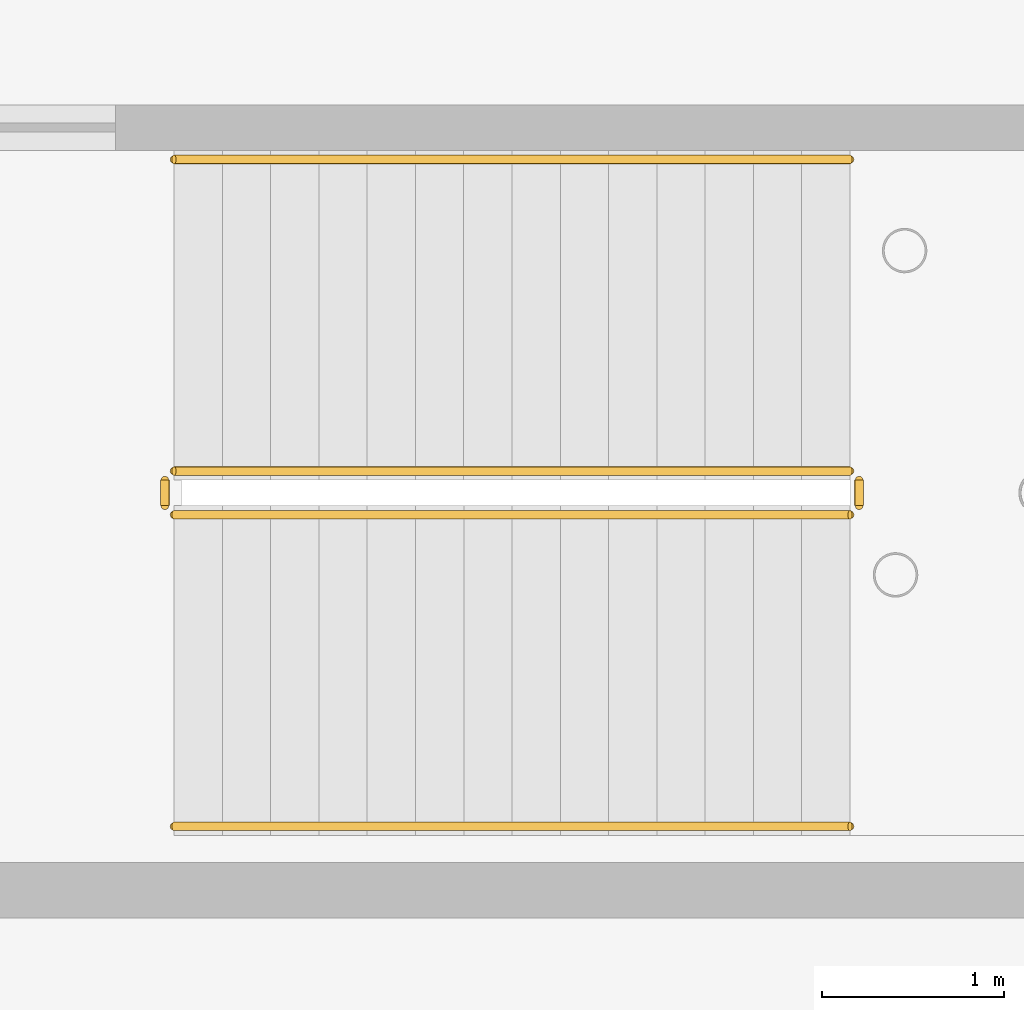
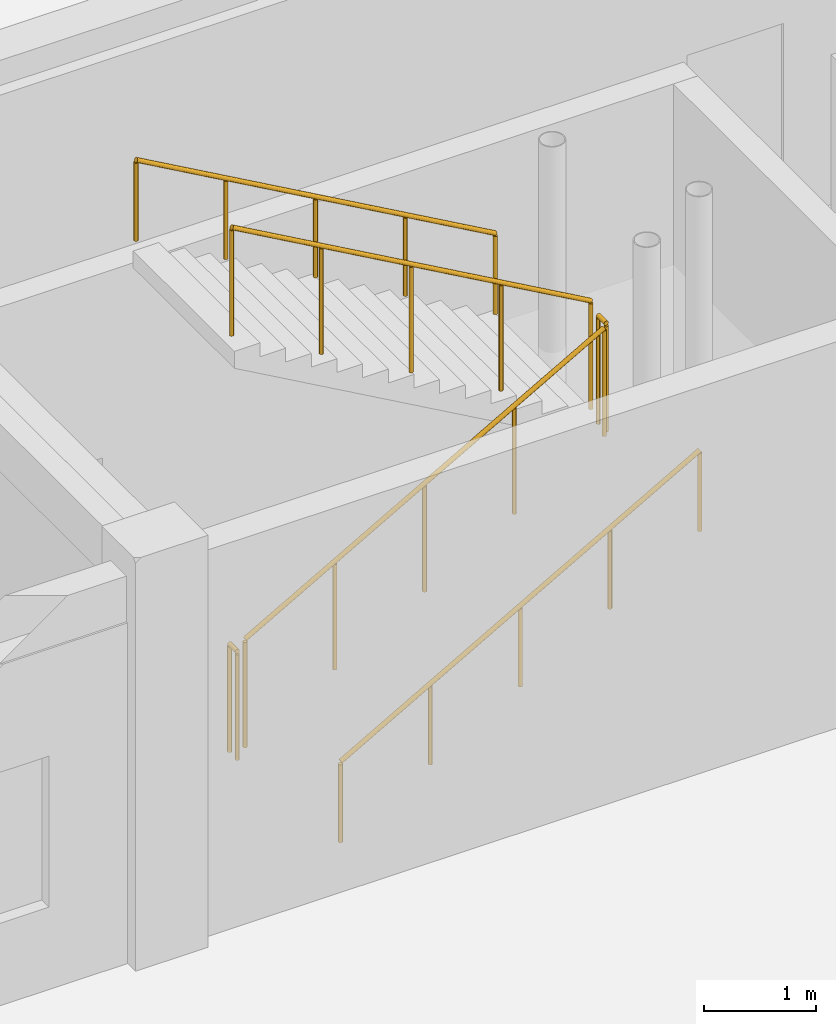
# One storey, part 149 of 160: 6 railings.
"""IFC4 building model written with IfcOpenShell, lengths in metres."""

from ifc_helpers import new_model, si_unit, direction, frame, origin, origin_2d, place, context, subcontext, project, spatial, circle, extrude, material, type_object, element, save


model = new_model("IFC4")

# Units and contexts
model_context = context("Model", 3, precision=1e-05, world=origin(), true_north=direction((0.0, 1.0)))
body_context = subcontext(model_context, "Body", "Model", "MODEL_VIEW")
ifc_project = project(units=[si_unit("LENGTHUNIT", "METRE"), si_unit("AREAUNIT", "SQUARE_METRE"), si_unit("VOLUMEUNIT", "CUBIC_METRE"), si_unit("PLANEANGLEUNIT", "RADIAN"), si_unit("MASSUNIT", "GRAM", prefix="KILO")], contexts=[model_context])

# Site, building, storey
site_placement = place(None, origin())
site = spatial("IfcSite", under=ifc_project, at=site_placement, CompositionType="ELEMENT")
building_placement = place(site_placement, origin())
building = spatial("IfcBuilding", under=site, at=building_placement, Name="Kharva Crest Polytechnic", CompositionType="ELEMENT")
storey_placement = place(building_placement, frame((0.0, 0.0, 4.5)))
storey = spatial("IfcBuildingStorey", under=building, at=storey_placement, Name="L01", CompositionType="ELEMENT", Elevation=4.5)

# Railings
ifc_material_1 = material(Name="Anodised aluminium", Category="aluminium")
railing_type_1 = type_object("IfcRailingType", Name="RL-STAIR-GUARD-1200", PredefinedType="GUARDRAIL", material=ifc_material_1)
railing_1_placement = place(storey_placement, frame((90.1201171875, 9.659912109375, 0.14990234375)))
element("IfcRailing", 1, at=railing_1_placement, inside=storey, type_object=railing_type_1, Name="L01 ST-08 stair guard 1", PredefinedType="GUARDRAIL", context=body_context, shape_type="SweptSolid", body=[
    extrude(circle(Radius=0.02392578125, at=origin_2d()), frame((0.0, 0.0, 1.17578125), z_axis=(0.870244811389, 0.0, 0.492619496418), x_axis=(0.0, 1.0, 0.0)), (0.0, 0.0, 1.0), 4.26318359375),
    extrude(circle(Radius=0.02099609375, at=origin_2d()), origin(), (0.0, 0.0, 1.0), 1.15185546875),
    extrude(circle(Radius=0.02099609375, at=origin_2d()), frame((0.927490234375, 0.0, 0.52490234375)), (0.0, 0.0, 1.0), 1.15185546875),
    extrude(circle(Radius=0.02099609375, at=origin_2d()), frame((1.85498046875, 0.0, 1.050048828125)), (0.0, 0.0, 1.0), 1.15185546875),
    extrude(circle(Radius=0.02099609375, at=origin_2d()), frame((2.782470703125, 0.0, 1.5751953125)), (0.0, 0.0, 1.0), 1.15185546875),
    extrude(circle(Radius=0.02099609375, at=origin_2d()), frame((3.7099609375, 0.0, 2.10009765625)), (0.0, 0.0, 1.0), 1.15185546875),
])
railing_2_placement = place(storey_placement, frame((93.8798828125, 9.7099609375, 2.25)))
element("IfcRailing", 2, at=railing_2_placement, inside=storey, type_object=railing_type_1, Name="L01 ST-08 stair guard 2", PredefinedType="GUARDRAIL", context=body_context, shape_type="SweptSolid", body=[
    extrude(circle(Radius=0.02392578125, at=origin_2d()), frame((0.0, 0.0, 1.17578125), z_axis=(0.0, 1.0, 0.0), x_axis=(-1.0, 0.0, 0.0)), (0.0, 0.0, 1.0), 0.14013671875),
    extrude(circle(Radius=0.02099609375, at=origin_2d()), origin(), (0.0, 0.0, 1.0), 1.15185546875),
    extrude(circle(Radius=0.02099609375, at=origin_2d()), frame((0.0, 0.14013671875, 0.0)), (0.0, 0.0, 1.0), 1.15185546875),
])
railing_3_placement = place(storey_placement, frame((93.830078125, 9.89990234375, 2.39990234375)))
element("IfcRailing", 3, at=railing_3_placement, inside=storey, type_object=railing_type_1, Name="L01 ST-08 stair guard 3", PredefinedType="GUARDRAIL", context=body_context, shape_type="SweptSolid", body=[
    extrude(circle(Radius=0.02392578125, at=origin_2d()), frame((0.0, 0.0, 1.17578125), z_axis=(-0.870244811389, 0.0, 0.492619496418), x_axis=(0.0, -1.0, 0.0)), (0.0, 0.0, 1.0), 4.26318359375),
    extrude(circle(Radius=0.02099609375, at=origin_2d()), origin(), (0.0, 0.0, 1.0), 1.15185546875),
    extrude(circle(Radius=0.02099609375, at=origin_2d()), frame((-0.927490234375, 0.0, 0.52490234375)), (0.0, 0.0, 1.0), 1.15185546875),
    extrude(circle(Radius=0.02099609375, at=origin_2d()), frame((-1.85498046875, 0.0, 1.050048828125)), (0.0, 0.0, 1.0), 1.15185546875),
    extrude(circle(Radius=0.02099609375, at=origin_2d()), frame((-2.782470703125, 0.0, 1.5751953125)), (0.0, 0.0, 1.0), 1.15185546875),
    extrude(circle(Radius=0.02099609375, at=origin_2d()), frame((-3.7099609375, 0.0, 2.10009765625)), (0.0, 0.0, 1.0), 1.15185546875),
])
railing_4_placement = place(storey_placement, frame((90.070068359375, 9.7099609375, 0.0)))
element("IfcRailing", 4, at=railing_4_placement, inside=storey, type_object=railing_type_1, Name="L01 ST-08 stair guard 4", PredefinedType="GUARDRAIL", context=body_context, shape_type="SweptSolid", body=[
    extrude(circle(Radius=0.02392578125, at=origin_2d()), frame((0.0, 0.0, 1.17578125), z_axis=(0.0, 1.0, 0.0), x_axis=(-1.0, 0.0, 0.0)), (0.0, 0.0, 1.0), 0.14013671875),
    extrude(circle(Radius=0.02099609375, at=origin_2d()), origin(), (0.0, 0.0, 1.0), 1.15185546875),
    extrude(circle(Radius=0.02099609375, at=origin_2d()), frame((0.0, 0.14013671875, 0.0)), (0.0, 0.0, 1.0), 1.15185546875),
])
ifc_material_2 = material(Name="Teak timber", Category="wood")
railing_type_2 = type_object("IfcRailingType", Name="RL-STAIR-HAND-900", PredefinedType="HANDRAIL", material=ifc_material_2)
railing_5_placement = place(storey_placement, frame((90.1201171875, 7.949951171875, 0.14990234375)))
element("IfcRailing", 5, at=railing_5_placement, inside=storey, type_object=railing_type_2, Name="L01 ST-08 stair handrail 1", PredefinedType="HANDRAIL", context=body_context, shape_type="SweptSolid", body=[
    extrude(circle(Radius=0.02392578125, at=origin_2d()), frame((0.0, 0.0, 0.8759765625), z_axis=(0.870244811389, 0.0, 0.492619496418), x_axis=(0.0, 1.0, 0.0)), (0.0, 0.0, 1.0), 4.26318359375),
    extrude(circle(Radius=0.02099609375, at=origin_2d()), origin(), (0.0, 0.0, 1.0), 0.851806640625),
    extrude(circle(Radius=0.02099609375, at=origin_2d()), frame((0.927490234375, 0.0, 0.52490234375)), (0.0, 0.0, 1.0), 0.851806640625),
    extrude(circle(Radius=0.02099609375, at=origin_2d()), frame((1.85498046875, 0.0, 1.050048828125)), (0.0, 0.0, 1.0), 0.851806640625),
    extrude(circle(Radius=0.02099609375, at=origin_2d()), frame((2.782470703125, 0.0, 1.5751953125)), (0.0, 0.0, 1.0), 0.851806640625),
    extrude(circle(Radius=0.02099609375, at=origin_2d()), frame((3.7099609375, 0.0, 2.10009765625)), (0.0, 0.0, 1.0), 0.851806640625),
])
railing_6_placement = place(storey_placement, frame((93.830078125, 11.610107421875, 2.39990234375)))
element("IfcRailing", 6, at=railing_6_placement, inside=storey, type_object=railing_type_2, Name="L01 ST-08 stair handrail 2", PredefinedType="HANDRAIL", context=body_context, shape_type="SweptSolid", body=[
    extrude(circle(Radius=0.02392578125, at=origin_2d()), frame((0.0, 0.0, 0.8759765625), z_axis=(-0.870244811389, 0.0, 0.492619496418), x_axis=(0.0, -1.0, 0.0)), (0.0, 0.0, 1.0), 4.26318359375),
    extrude(circle(Radius=0.02099609375, at=origin_2d()), origin(), (0.0, 0.0, 1.0), 0.851806640625),
    extrude(circle(Radius=0.02099609375, at=origin_2d()), frame((-0.927490234375, 0.0, 0.52490234375)), (0.0, 0.0, 1.0), 0.851806640625),
    extrude(circle(Radius=0.02099609375, at=origin_2d()), frame((-1.85498046875, 0.0, 1.050048828125)), (0.0, 0.0, 1.0), 0.851806640625),
    extrude(circle(Radius=0.02099609375, at=origin_2d()), frame((-2.782470703125, 0.0, 1.5751953125)), (0.0, 0.0, 1.0), 0.851806640625),
    extrude(circle(Radius=0.02099609375, at=origin_2d()), frame((-3.7099609375, 0.0, 2.10009765625)), (0.0, 0.0, 1.0), 0.851806640625),
])

save(model, "model.ifc")
